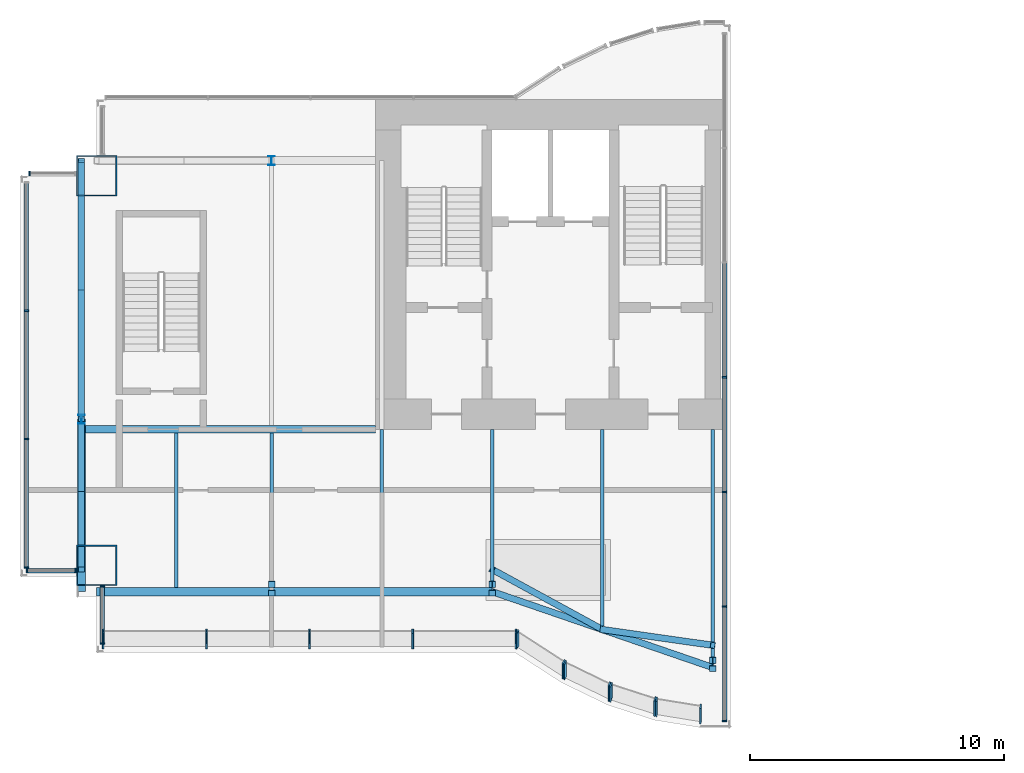
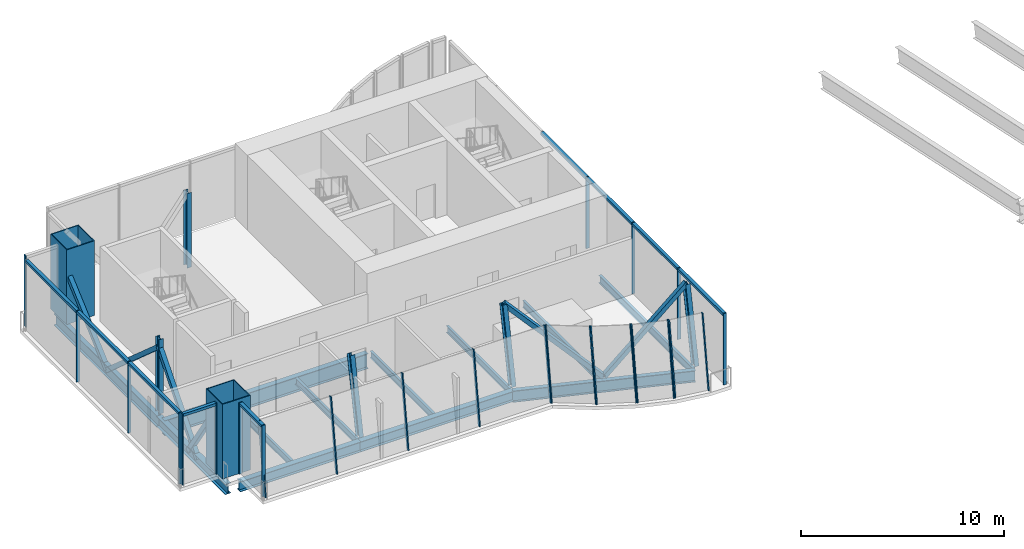
# One storey, part 1 of 7: 40 members, 12 beams, 7 columns, 10 elements without a shape of their own.
"""IFC4 building model written with IfcOpenShell, lengths in metres."""

from ifc_helpers import new_model, si_unit, direction, frame, origin, origin_2d, place, context, subcontext, project, spatial, rectangle, hollow_rectangle, i_section, extrude, material, material_profile, profile_set, type_object, element, aggregate, save


model = new_model("IFC4")

# Units and contexts
model_context = context("Model", 3, precision=1e-05, world=origin(), true_north=direction((0.0, 1.0)))
body_context = subcontext(model_context, "Body", "Model", "MODEL_VIEW")
ifc_project = project(units=[si_unit("LENGTHUNIT", "METRE"), si_unit("AREAUNIT", "SQUARE_METRE"), si_unit("VOLUMEUNIT", "CUBIC_METRE"), si_unit("PLANEANGLEUNIT", "RADIAN"), si_unit("MASSUNIT", "GRAM", prefix="KILO")], contexts=[model_context])

# Site, building, storey
site_placement = place(None, origin())
site = spatial("IfcSite", under=ifc_project, at=site_placement, CompositionType="ELEMENT")
building_placement = place(site_placement, origin())
building = spatial("IfcBuilding", under=site, at=building_placement, Name="Bicima Exchange Tower", CompositionType="ELEMENT")
storey_placement = place(building_placement, frame((0.0, 0.0, 361.39990234375)))
storey = spatial("IfcBuildingStorey", under=building, at=storey_placement, Name="L81", CompositionType="ELEMENT", Elevation=361.39990234375)

# Columns
ifc_material_1 = material(Name="Steel ASTM A572 Gr 50", Category="steel")
ifc_material_profile_1 = material_profile(ifc_material_1, hollow_rectangle(XDim=1.60009765625, YDim=1.60009765625, WallThickness=0.050048828125, at=origin_2d()))
ifc_profile_set_1 = profile_set([ifc_material_profile_1], Name="Steel ASTM A572 Gr 50")
column_type_1 = type_object("IfcColumnType", Name="Mega column BOX 1600x1600x50", PredefinedType="COLUMN", material=ifc_profile_set_1)
for number, where, z_axis, x_axis, name in (
    (1, (-33.0, -18.364501953125, 0.0), (0.0, 0.0, 1.0), (1.0, 0.0, 0.0), "Mega column mega-33.0f"),
    (2, (-33.0, -3.0, 0.0), (0.0, 0.0, 1.0), (1.0, 0.0, 0.0), "Mega column mega-33.0r"),
):
    element("IfcColumn", number, at=place(storey_placement, frame(where, z_axis=z_axis, x_axis=x_axis)), inside=storey, type_object=column_type_1, Name=name, PredefinedType="COLUMN", context=body_context, shape_type="SweptSolid", body=[
        extrude(hollow_rectangle(XDim=1.60009765625, YDim=1.60009765625, WallThickness=0.050048828125, at=origin_2d()), origin(), (0.0, 0.0, 1.0), 4.5),
    ])
ifc_material_2 = material(Name="Steel ASTM A992 Gr 50", Category="steel")
ifc_material_profile_2 = material_profile(ifc_material_2, i_section(OverallWidth=0.25390625, OverallDepth=0.35302734375, WebThickness=0.009521484375, FlangeThickness=0.016357421875, at=origin_2d()))
ifc_profile_set_2 = profile_set([ifc_material_profile_2], Name="Steel ASTM A992 Gr 50")
column_type_2 = type_object("IfcColumnType", Name="Perimeter column W14x61", PredefinedType="COLUMN", material=ifc_profile_set_2)
column_1_placement = place(storey_placement, frame((-26.10009765625, -19.396240234375, 0.03369140625), z_axis=(0.0, 0.191206783257, 0.981549777666), x_axis=(-1.0, 0.0, 0.0)))
element("IfcColumn", 3, at=column_1_placement, inside=storey, type_object=column_type_2, Name="Perimeter column grav-26.1f", PredefinedType="COLUMN", context=body_context, shape_type="SweptSolid", body=[
    extrude(i_section(OverallWidth=0.25390625, OverallDepth=0.35302734375, WebThickness=0.009521484375, FlangeThickness=0.016357421875, at=origin_2d()), origin(), (0.0, 0.0, 1.0), 4.51611328125),
])
column_2_placement = place(storey_placement, frame((-26.10009765625, -2.39990234375, 0.0), z_axis=(0.0, 0.0, 1.0), x_axis=(1.0, 0.0, 0.0)))
element("IfcColumn", 4, at=column_2_placement, inside=storey, type_object=column_type_2, Name="Perimeter column grav-26.1r", PredefinedType="COLUMN", context=body_context, shape_type="SweptSolid", body=[
    extrude(i_section(OverallWidth=0.25390625, OverallDepth=0.35302734375, WebThickness=0.009521484375, FlangeThickness=0.016357421875, at=origin_2d()), origin(), (0.0, 0.0, 1.0), 4.5),
])
for number, where, z_axis, x_axis, name in (
    (5, (-17.39990234375, -19.396240234375, 0.03369140625), (0.0, 0.191206783257, 0.981549777666), (-1.0, 0.0, 0.0), "Perimeter column grav-17.4f"),
    (6, (-8.699951171875, -22.38720703125, 0.03369140625), (0.0, 0.191154699822, 0.981559922132), (-1.0, 0.0, 0.0), "Perimeter column grav-8.7f"),
):
    element("IfcColumn", number, at=place(storey_placement, frame(where, z_axis=z_axis, x_axis=x_axis)), inside=storey, type_object=column_type_2, Name=name, PredefinedType="COLUMN", context=body_context, shape_type="SweptSolid", body=[
        extrude(i_section(OverallWidth=0.25390625, OverallDepth=0.35302734375, WebThickness=0.009521484375, FlangeThickness=0.016357421875, at=origin_2d()), origin(), (0.0, 0.0, 1.0), 4.51611328125),
    ])
column_3_placement = place(storey_placement, frame((-33.60009765625, -12.60009765625, 0.0), z_axis=(0.0, 0.0, 1.0), x_axis=(1.0, 0.0, 0.0)))
element("IfcColumn", 7, at=column_3_placement, inside=storey, type_object=column_type_2, Name="End column end-33.6e", PredefinedType="COLUMN", context=body_context, shape_type="SweptSolid", body=[
    extrude(i_section(OverallWidth=0.25390625, OverallDepth=0.35302734375, WebThickness=0.009521484375, FlangeThickness=0.016357421875, at=origin_2d()), origin(), (0.0, 0.0, 1.0), 4.5),
])

# Beam
ifc_material_profile_3 = material_profile(ifc_material_2, i_section(OverallWidth=0.3046875, OverallDepth=0.911865234375, WebThickness=0.015869140625, FlangeThickness=0.02392578125, at=origin_2d()))
ifc_profile_set_3 = profile_set([ifc_material_profile_3], Name="Steel ASTM A992 Gr 50")
beam_type_1 = type_object("IfcBeamType", Name="Core-line girder W36x150", PredefinedType="BEAM", material=ifc_profile_set_3)
beam_1_placement = place(storey_placement, frame((-22.0, -13.0, -0.65576171875), z_axis=(-1.0, 0.0, 0.0), x_axis=(0.0, -1.0, 0.0)))
element("IfcBeam", 8, at=beam_1_placement, inside=storey, type_object=beam_type_1, Name="Core-line girder", PredefinedType="BEAM", context=body_context, shape_type="SweptSolid", body=[
    extrude(i_section(OverallWidth=0.3046875, OverallDepth=0.911865234375, WebThickness=0.015869140625, FlangeThickness=0.02392578125, at=origin_2d()), origin(), (0.0, 0.0, 1.0), 11.60009765625),
])

# Curtain wall, members
ifc_material_3 = material(Name="Anodised bronze aluminium", Category="aluminium")
curtain_wall_type = type_object("IfcCurtainWallType", Name="Crown glass wall", PredefinedType="NOTDEFINED", material=ifc_material_3)
curtain_wall_1_placement = place(storey_placement, origin())
curtain_wall_1 = element("IfcCurtainWall", 9, at=curtain_wall_1_placement, inside=storey, type_object=curtain_wall_type, Name="Crown glass wall L81 run 2", PredefinedType="NOTDEFINED")
ifc_material_profile_4 = material_profile(ifc_material_3, rectangle(XDim=0.179931640625, YDim=0.06005859375, at=origin_2d()))
ifc_profile_set_4 = profile_set([ifc_material_profile_4], Name="Anodised bronze aluminium")
member_type_1 = type_object("IfcMemberType", Name="Crown glass wall mullion 60 x 180", PredefinedType="MULLION", material=ifc_profile_set_4)
member_1_placement = place(storey_placement, frame((-8.22998046875, -24.505615234375, 0.0), z_axis=(0.0, 0.0, 1.0), x_axis=(-1.0, 0.0, 0.0)))
member_1 = element("IfcMember", 10, at=member_1_placement, type_object=member_type_1, Name="Crown glass wall mullion 1", PredefinedType="MULLION", context=body_context, shape_type="SweptSolid", body=[
    extrude(rectangle(XDim=0.179931640625, YDim=0.06005859375, at=origin_2d()), origin(), (0.0, 0.0, 1.0), 4.300048828125),
])
member_2_placement = place(storey_placement, frame((-8.22998046875, -19.98583984375, 0.0), z_axis=(0.0, 0.0, 1.0), x_axis=(-1.0, 0.0, 0.0)))
member_2 = element("IfcMember", 11, at=member_2_placement, type_object=member_type_1, Name="Crown glass wall mullion 2", PredefinedType="MULLION", context=body_context, shape_type="SweptSolid", body=[
    extrude(rectangle(XDim=0.179931640625, YDim=0.06005859375, at=origin_2d()), origin(), (0.0, 0.0, 1.0), 4.300048828125),
])
member_3_placement = place(storey_placement, frame((-8.22998046875, -15.466064453125, 0.0), z_axis=(0.0, 0.0, 1.0), x_axis=(-1.0, 0.0, 0.0)))
member_3 = element("IfcMember", 12, at=member_3_placement, type_object=member_type_1, Name="Crown glass wall mullion 3", PredefinedType="MULLION", context=body_context, shape_type="SweptSolid", body=[
    extrude(rectangle(XDim=0.179931640625, YDim=0.06005859375, at=origin_2d()), origin(), (0.0, 0.0, 1.0), 4.300048828125),
])
member_4_placement = place(storey_placement, frame((-8.22998046875, -10.9462890625, 0.0), z_axis=(0.0, 0.0, 1.0), x_axis=(-1.0, 0.0, 0.0)))
member_4 = element("IfcMember", 13, at=member_4_placement, type_object=member_type_1, Name="Crown glass wall mullion 4", PredefinedType="MULLION", context=body_context, shape_type="SweptSolid", body=[
    extrude(rectangle(XDim=0.179931640625, YDim=0.06005859375, at=origin_2d()), origin(), (0.0, 0.0, 1.0), 4.300048828125),
])

# Curtain wall, member
curtain_wall_2_placement = place(storey_placement, origin())
curtain_wall_2 = element("IfcCurtainWall", 14, at=curtain_wall_2_placement, inside=storey, type_object=curtain_wall_type, Name="Crown glass wall L81 run 10", PredefinedType="NOTDEFINED")
member_5_placement = place(storey_placement, frame((-35.64990234375, -2.909912109375, 0.0), z_axis=(0.0, 0.0, 1.0), x_axis=(0.0, -1.0, 0.0)))
member_5 = element("IfcMember", 15, at=member_5_placement, type_object=member_type_1, Name="Crown glass wall mullion 2", PredefinedType="MULLION", context=body_context, shape_type="SweptSolid", body=[
    extrude(rectangle(XDim=0.179931640625, YDim=0.06005859375, at=origin_2d()), origin(), (0.0, 0.0, 1.0), 4.300048828125),
])
aggregate(curtain_wall_2, [member_5])

# Curtain wall, members
curtain_wall_3_placement = place(storey_placement, origin())
curtain_wall_3 = element("IfcCurtainWall", 16, at=curtain_wall_3_placement, inside=storey, type_object=curtain_wall_type, Name="Crown glass wall L81 run 11", PredefinedType="NOTDEFINED")
member_6_placement = place(storey_placement, frame((-35.77001953125, -8.32421875, 0.0), z_axis=(0.0, 0.0, 1.0), x_axis=(1.0, 0.0, 0.0)))
member_6 = element("IfcMember", 17, at=member_6_placement, type_object=member_type_1, Name="Crown glass wall mullion 2", PredefinedType="MULLION", context=body_context, shape_type="SweptSolid", body=[
    extrude(rectangle(XDim=0.179931640625, YDim=0.06005859375, at=origin_2d()), origin(), (0.0, 0.0, 1.0), 4.300048828125),
])
member_7_placement = place(storey_placement, frame((-35.77001953125, -13.388427734375, 0.0), z_axis=(0.0, 0.0, 1.0), x_axis=(1.0, 0.0, 0.0)))
member_7 = element("IfcMember", 18, at=member_7_placement, type_object=member_type_1, Name="Crown glass wall mullion 3", PredefinedType="MULLION", context=body_context, shape_type="SweptSolid", body=[
    extrude(rectangle(XDim=0.179931640625, YDim=0.06005859375, at=origin_2d()), origin(), (0.0, 0.0, 1.0), 4.300048828125),
])
member_8_placement = place(storey_placement, frame((-35.77001953125, -18.45263671875, 0.0), z_axis=(0.0, 0.0, 1.0), x_axis=(1.0, 0.0, 0.0)))
member_8 = element("IfcMember", 19, at=member_8_placement, type_object=member_type_1, Name="Crown glass wall mullion 4", PredefinedType="MULLION", context=body_context, shape_type="SweptSolid", body=[
    extrude(rectangle(XDim=0.179931640625, YDim=0.06005859375, at=origin_2d()), origin(), (0.0, 0.0, 1.0), 4.300048828125),
])

curtain_wall_4_placement = place(storey_placement, origin())
curtain_wall_4 = element("IfcCurtainWall", 20, at=curtain_wall_4_placement, inside=storey, type_object=curtain_wall_type, Name="Crown glass wall L81 run 12", PredefinedType="NOTDEFINED")
member_9_placement = place(storey_placement, frame((-35.739990234375, -18.57275390625, 0.0), z_axis=(0.0, 0.0, 1.0), x_axis=(0.0, 1.0, 0.0)))
member_9 = element("IfcMember", 21, at=member_9_placement, type_object=member_type_1, Name="Crown glass wall mullion 1", PredefinedType="MULLION", context=body_context, shape_type="SweptSolid", body=[
    extrude(rectangle(XDim=0.179931640625, YDim=0.06005859375, at=origin_2d()), origin(), (0.0, 0.0, 1.0), 4.300048828125),
])
member_10_placement = place(storey_placement, frame((-33.830078125, -18.57275390625, 0.0), z_axis=(0.0, 0.0, 1.0), x_axis=(0.0, 1.0, 0.0)))
member_10 = element("IfcMember", 22, at=member_10_placement, type_object=member_type_1, Name="Crown glass wall mullion 2", PredefinedType="MULLION", context=body_context, shape_type="SweptSolid", body=[
    extrude(rectangle(XDim=0.179931640625, YDim=0.06005859375, at=origin_2d()), origin(), (0.0, 0.0, 1.0), 4.300048828125),
])

curtain_wall_5_placement = place(storey_placement, origin())
curtain_wall_5 = element("IfcCurtainWall", 23, at=curtain_wall_5_placement, inside=storey, type_object=curtain_wall_type, Name="Crown glass wall L81 run 13", PredefinedType="NOTDEFINED")
member_11_placement = place(storey_placement, frame((-32.77001953125, -19.194580078125, 0.0), z_axis=(0.0, 0.0, 1.0), x_axis=(1.0, 0.0, 0.0)))
member_11 = element("IfcMember", 24, at=member_11_placement, type_object=member_type_1, Name="Crown glass wall mullion 1", PredefinedType="MULLION", context=body_context, shape_type="SweptSolid", body=[
    extrude(rectangle(XDim=0.179931640625, YDim=0.06005859375, at=origin_2d()), origin(), (0.0, 0.0, 1.0), 4.300048828125),
])
member_12_placement = place(storey_placement, frame((-32.77001953125, -21.45263671875, 0.0), z_axis=(0.0, 0.0, 1.0), x_axis=(1.0, 0.0, 0.0)))
member_12 = element("IfcMember", 25, at=member_12_placement, type_object=member_type_1, Name="Crown glass wall mullion 2", PredefinedType="MULLION", context=body_context, shape_type="SweptSolid", body=[
    extrude(rectangle(XDim=0.179931640625, YDim=0.06005859375, at=origin_2d()), origin(), (0.0, 0.0, 1.0), 4.300048828125),
])

curtain_wall_6_placement = place(storey_placement, origin())
curtain_wall_6 = element("IfcCurtainWall", 26, at=curtain_wall_6_placement, inside=storey, type_object=curtain_wall_type, Name="Crown tilted glass L81 14.1", PredefinedType="NOTDEFINED")
member_13_placement = place(storey_placement, frame((-32.739990234375, -21.57275390625, 0.0), z_axis=(0.0, 0.139154039626, 0.99027074745), x_axis=(0.0, -0.99027074745, 0.139154039626)))
member_13 = element("IfcMember", 27, at=member_13_placement, type_object=member_type_1, Name="Crown tilted mullion 1", PredefinedType="MULLION", context=body_context, shape_type="SweptSolid", body=[
    extrude(rectangle(XDim=0.179931640625, YDim=0.06005859375, at=origin_2d()), origin(), (0.0, 0.0, 1.0), 4.34228515625),
])
member_14_placement = place(storey_placement, frame((-28.67041015625, -21.57275390625, 0.0), z_axis=(0.0, 0.139154039626, 0.99027074745), x_axis=(0.0, -0.99027074745, 0.139154039626)))
member_14 = element("IfcMember", 28, at=member_14_placement, type_object=member_type_1, Name="Crown tilted mullion 2", PredefinedType="MULLION", context=body_context, shape_type="SweptSolid", body=[
    extrude(rectangle(XDim=0.179931640625, YDim=0.06005859375, at=origin_2d()), origin(), (0.0, 0.0, 1.0), 4.34228515625),
])
member_15_placement = place(storey_placement, frame((-24.60107421875, -21.57275390625, 0.0), z_axis=(0.0, 0.139154039626, 0.99027074745), x_axis=(0.0, -0.99027074745, 0.139154039626)))
member_15 = element("IfcMember", 29, at=member_15_placement, type_object=member_type_1, Name="Crown tilted mullion 3", PredefinedType="MULLION", context=body_context, shape_type="SweptSolid", body=[
    extrude(rectangle(XDim=0.179931640625, YDim=0.06005859375, at=origin_2d()), origin(), (0.0, 0.0, 1.0), 4.34228515625),
])
member_16_placement = place(storey_placement, frame((-20.531494140625, -21.57275390625, 0.0), z_axis=(0.0, 0.139154039626, 0.99027074745), x_axis=(0.0, -0.99027074745, 0.139154039626)))
member_16 = element("IfcMember", 30, at=member_16_placement, type_object=member_type_1, Name="Crown tilted mullion 4", PredefinedType="MULLION", context=body_context, shape_type="SweptSolid", body=[
    extrude(rectangle(XDim=0.179931640625, YDim=0.06005859375, at=origin_2d()), origin(), (0.0, 0.0, 1.0), 4.34228515625),
])
member_17_placement = place(storey_placement, frame((-16.462158203125, -21.57275390625, 0.0), z_axis=(0.0, 0.139154039626, 0.99027074745), x_axis=(0.0, -0.99027074745, 0.139154039626)))
member_17 = element("IfcMember", 31, at=member_17_placement, type_object=member_type_1, Name="Crown tilted mullion 5", PredefinedType="MULLION", context=body_context, shape_type="SweptSolid", body=[
    extrude(rectangle(XDim=0.179931640625, YDim=0.06005859375, at=origin_2d()), origin(), (0.0, 0.0, 1.0), 4.34228515625),
])
aggregate(curtain_wall_6, [member_13, member_14, member_15, member_16, member_17])

curtain_wall_7_placement = place(storey_placement, origin())
curtain_wall_7 = element("IfcCurtainWall", 32, at=curtain_wall_7_placement, inside=storey, type_object=curtain_wall_type, Name="Crown tilted glass L81 15.1", PredefinedType="NOTDEFINED")
member_18_placement = place(storey_placement, frame((-16.406982421875, -21.589111328125, 0.0), z_axis=(0.0, 0.139209174124, 0.990262998319), x_axis=(-0.542910648791, -0.831613425201, 0.116906537262)))
member_18 = element("IfcMember", 33, at=member_18_placement, type_object=member_type_1, Name="Crown tilted mullion 1", PredefinedType="MULLION", context=body_context, shape_type="SweptSolid", body=[
    extrude(rectangle(XDim=0.179931640625, YDim=0.06005859375, at=origin_2d()), origin(), (0.0, 0.0, 1.0), 4.34228515625),
])
member_19_placement = place(storey_placement, frame((-14.578857421875, -22.770751953125, 0.0), z_axis=(0.0, 0.139154039626, 0.99027074745), x_axis=(-0.542910648791, -0.831619932848, 0.116860235837)))
member_19 = element("IfcMember", 34, at=member_19_placement, type_object=member_type_1, Name="Crown tilted mullion 2", PredefinedType="MULLION", context=body_context, shape_type="SweptSolid", body=[
    extrude(rectangle(XDim=0.179931640625, YDim=0.06005859375, at=origin_2d()), origin(), (0.0, 0.0, 1.0), 4.34228515625),
])
aggregate(curtain_wall_7, [member_18, member_19])

curtain_wall_8_placement = place(storey_placement, origin())
curtain_wall_8 = element("IfcCurtainWall", 35, at=curtain_wall_8_placement, inside=storey, type_object=curtain_wall_type, Name="Crown tilted glass L81 16.1", PredefinedType="NOTDEFINED")
member_20_placement = place(storey_placement, frame((-14.526611328125, -22.80029296875, 0.0), z_axis=(0.0, 0.139209174124, 0.990262998319), x_axis=(-0.436264762204, -0.891056814056, 0.125262968921)))
member_20 = element("IfcMember", 36, at=member_20_placement, type_object=member_type_1, Name="Crown tilted mullion 1", PredefinedType="MULLION", context=body_context, shape_type="SweptSolid", body=[
    extrude(rectangle(XDim=0.179931640625, YDim=0.06005859375, at=origin_2d()), origin(), (0.0, 0.0, 1.0), 4.34228515625),
])
member_21_placement = place(storey_placement, frame((-12.7744140625, -23.64990234375, 0.0), z_axis=(0.0, 0.139209174124, 0.990262998319), x_axis=(-0.436264762204, -0.891056814056, 0.125262968921)))
member_21 = element("IfcMember", 37, at=member_21_placement, type_object=member_type_1, Name="Crown tilted mullion 2", PredefinedType="MULLION", context=body_context, shape_type="SweptSolid", body=[
    extrude(rectangle(XDim=0.179931640625, YDim=0.06005859375, at=origin_2d()), origin(), (0.0, 0.0, 1.0), 4.34228515625),
])
aggregate(curtain_wall_8, [member_20, member_21])

curtain_wall_9_placement = place(storey_placement, origin())
curtain_wall_9 = element("IfcCurtainWall", 38, at=curtain_wall_9_placement, inside=storey, type_object=curtain_wall_type, Name="Crown tilted glass L81 17.1", PredefinedType="NOTDEFINED")
member_22_placement = place(storey_placement, frame((-12.71875, -23.672119140625, 0.0), z_axis=(0.0, 0.139154039626, 0.99027074745), x_axis=(-0.307572519808, -0.942267018828, 0.132408497791)))
member_22 = element("IfcMember", 39, at=member_22_placement, type_object=member_type_1, Name="Crown tilted mullion 1", PredefinedType="MULLION", context=body_context, shape_type="SweptSolid", body=[
    extrude(rectangle(XDim=0.179931640625, YDim=0.06005859375, at=origin_2d()), origin(), (0.0, 0.0, 1.0), 4.34228515625),
])
member_23_placement = place(storey_placement, frame((-10.974609375, -24.23583984375, 0.0), z_axis=(0.0, 0.139154039626, 0.99027074745), x_axis=(-0.307572519808, -0.942267018828, 0.132408497791)))
member_23 = element("IfcMember", 40, at=member_23_placement, type_object=member_type_1, Name="Crown tilted mullion 2", PredefinedType="MULLION", context=body_context, shape_type="SweptSolid", body=[
    extrude(rectangle(XDim=0.179931640625, YDim=0.06005859375, at=origin_2d()), origin(), (0.0, 0.0, 1.0), 4.34228515625),
])
aggregate(curtain_wall_9, [member_22, member_23])

curtain_wall_10_placement = place(storey_placement, origin())
curtain_wall_10 = element("IfcCurtainWall", 41, at=curtain_wall_10_placement, inside=storey, type_object=curtain_wall_type, Name="Crown tilted glass L81 18.1", PredefinedType="NOTDEFINED")
member_24_placement = place(storey_placement, frame((-10.91650390625, -24.25, 0.0), z_axis=(0.0, 0.139209174124, 0.990262998319), x_axis=(-0.159550386184, -0.977577517738, 0.137425874861)))
member_24 = element("IfcMember", 42, at=member_24_placement, type_object=member_type_1, Name="Crown tilted mullion 1", PredefinedType="MULLION", context=body_context, shape_type="SweptSolid", body=[
    extrude(rectangle(XDim=0.179931640625, YDim=0.06005859375, at=origin_2d()), origin(), (0.0, 0.0, 1.0), 4.34228515625),
])
member_25_placement = place(storey_placement, frame((-9.177734375, -24.531005859375, 0.0), z_axis=(0.0, 0.139209174124, 0.990262998319), x_axis=(-0.159550386184, -0.977577517738, 0.137425874861)))
member_25 = element("IfcMember", 43, at=member_25_placement, type_object=member_type_1, Name="Crown tilted mullion 2", PredefinedType="MULLION", context=body_context, shape_type="SweptSolid", body=[
    extrude(rectangle(XDim=0.179931640625, YDim=0.06005859375, at=origin_2d()), origin(), (0.0, 0.0, 1.0), 4.34228515625),
])
aggregate(curtain_wall_10, [member_24, member_25])

# Member
ifc_material_profile_5 = material_profile(ifc_material_3, rectangle(XDim=0.179931640625, YDim=0.159912109375, at=origin_2d()))
ifc_profile_set_5 = profile_set([ifc_material_profile_5], Name="Anodised bronze aluminium")
member_type_2 = type_object("IfcMemberType", Name="Crown glass wall transom 160 x 180", PredefinedType="USERDEFINED", material=ifc_profile_set_5)
member_26_placement = place(storey_placement, frame((-8.22998046875, -24.4755859375, 4.22021484375), z_axis=(0.0, 1.0, 0.0), x_axis=(-1.0, 0.0, 0.0)))
member_26 = element("IfcMember", 44, at=member_26_placement, type_object=member_type_2, Name="Crown glass wall transom 1.1", ObjectType="TRANSOM", PredefinedType="USERDEFINED", context=body_context, shape_type="SweptSolid", body=[
    extrude(rectangle(XDim=0.179931640625, YDim=0.159912109375, at=origin_2d()), origin(), (0.0, 0.0, 1.0), 4.459716796875),
])

member_27_placement = place(storey_placement, frame((-8.22998046875, -19.955810546875, 4.22021484375), z_axis=(0.0, 1.0, 0.0), x_axis=(-1.0, 0.0, 0.0)))
member_27 = element("IfcMember", 45, at=member_27_placement, type_object=member_type_2, Name="Crown glass wall transom 2.1", ObjectType="TRANSOM", PredefinedType="USERDEFINED", context=body_context, shape_type="SweptSolid", body=[
    extrude(rectangle(XDim=0.179931640625, YDim=0.159912109375, at=origin_2d()), origin(), (0.0, 0.0, 1.0), 4.459716796875),
])

member_28_placement = place(storey_placement, frame((-8.22998046875, -15.43603515625, 4.22021484375), z_axis=(0.0, 1.0, 0.0), x_axis=(-1.0, 0.0, 0.0)))
member_28 = element("IfcMember", 46, at=member_28_placement, type_object=member_type_2, Name="Crown glass wall transom 3.1", ObjectType="TRANSOM", PredefinedType="USERDEFINED", context=body_context, shape_type="SweptSolid", body=[
    extrude(rectangle(XDim=0.179931640625, YDim=0.159912109375, at=origin_2d()), origin(), (0.0, 0.0, 1.0), 4.459716796875),
])

member_29_placement = place(storey_placement, frame((-8.22998046875, -10.91650390625, 4.22021484375), z_axis=(0.0, 1.0, 0.0), x_axis=(-1.0, 0.0, 0.0)))
member_29 = element("IfcMember", 47, at=member_29_placement, type_object=member_type_2, Name="Crown glass wall transom 4.1", ObjectType="TRANSOM", PredefinedType="USERDEFINED", context=body_context, shape_type="SweptSolid", body=[
    extrude(rectangle(XDim=0.179931640625, YDim=0.159912109375, at=origin_2d()), origin(), (0.0, 0.0, 1.0), 4.4599609375),
])

aggregate(curtain_wall_1, [member_1, member_2, member_3, member_4, member_26, member_27, member_28, member_29])

member_30_placement = place(storey_placement, frame((-35.77001953125, -3.2900390625, 4.22021484375), z_axis=(0.0, -1.0, 0.0), x_axis=(1.0, 0.0, 0.0)))
member_30 = element("IfcMember", 48, at=member_30_placement, type_object=member_type_2, Name="Crown glass wall transom 1.1", ObjectType="TRANSOM", PredefinedType="USERDEFINED", context=body_context, shape_type="SweptSolid", body=[
    extrude(rectangle(XDim=0.179931640625, YDim=0.159912109375, at=origin_2d()), origin(), (0.0, 0.0, 1.0), 5.004150390625),
])

member_31_placement = place(storey_placement, frame((-35.77001953125, -8.354248046875, 4.22021484375), z_axis=(0.0, -1.0, 0.0), x_axis=(1.0, 0.0, 0.0)))
member_31 = element("IfcMember", 49, at=member_31_placement, type_object=member_type_2, Name="Crown glass wall transom 2.1", ObjectType="TRANSOM", PredefinedType="USERDEFINED", context=body_context, shape_type="SweptSolid", body=[
    extrude(rectangle(XDim=0.179931640625, YDim=0.159912109375, at=origin_2d()), origin(), (0.0, 0.0, 1.0), 5.004150390625),
])

member_32_placement = place(storey_placement, frame((-35.77001953125, -13.41845703125, 4.22021484375), z_axis=(0.0, -1.0, 0.0), x_axis=(1.0, 0.0, 0.0)))
member_32 = element("IfcMember", 50, at=member_32_placement, type_object=member_type_2, Name="Crown glass wall transom 3.1", ObjectType="TRANSOM", PredefinedType="USERDEFINED", context=body_context, shape_type="SweptSolid", body=[
    extrude(rectangle(XDim=0.179931640625, YDim=0.159912109375, at=origin_2d()), origin(), (0.0, 0.0, 1.0), 5.004150390625),
])

aggregate(curtain_wall_3, [member_6, member_7, member_8, member_30, member_31, member_32])

member_33_placement = place(storey_placement, frame((-35.7099609375, -18.57275390625, 4.22021484375), z_axis=(1.0, 0.0, 0.0), x_axis=(0.0, 1.0, 0.0)))
member_33 = element("IfcMember", 51, at=member_33_placement, type_object=member_type_2, Name="Crown glass wall transom 1.1", ObjectType="TRANSOM", PredefinedType="USERDEFINED", context=body_context, shape_type="SweptSolid", body=[
    extrude(rectangle(XDim=0.179931640625, YDim=0.159912109375, at=origin_2d()), origin(), (0.0, 0.0, 1.0), 1.849853515625),
])

aggregate(curtain_wall_4, [member_9, member_10, member_33])

member_34_placement = place(storey_placement, frame((-32.77001953125, -19.224609375, 4.22021484375), z_axis=(0.0, -1.0, 0.0), x_axis=(1.0, 0.0, 0.0)))
member_34 = element("IfcMember", 52, at=member_34_placement, type_object=member_type_2, Name="Crown glass wall transom 1.1", ObjectType="TRANSOM", PredefinedType="USERDEFINED", context=body_context, shape_type="SweptSolid", body=[
    extrude(rectangle(XDim=0.179931640625, YDim=0.159912109375, at=origin_2d()), origin(), (0.0, 0.0, 1.0), 2.197998046875),
])

aggregate(curtain_wall_5, [member_11, member_12, member_34])

# Beams
ifc_material_profile_6 = material_profile(ifc_material_2, i_section(OverallWidth=0.3251953125, OverallDepth=0.612060546875, WebThickness=0.0126953125, FlangeThickness=0.01904296875, at=origin_2d()))
ifc_profile_set_6 = profile_set([ifc_material_profile_6], Name="Steel ASTM A992 Gr 50")
beam_type_2 = type_object("IfcBeamType", Name="End girder W24x104", PredefinedType="BEAM", material=ifc_profile_set_6)
beam_2_placement = place(storey_placement, frame((-33.60009765625, -12.60009765625, -0.506103515625), z_axis=(0.0, -1.0, 0.0), x_axis=(1.0, 0.0, 0.0)))
element("IfcBeam", 53, at=beam_2_placement, inside=storey, type_object=beam_type_2, Name="End girder", PredefinedType="BEAM", context=body_context, shape_type="SweptSolid", body=[
    extrude(i_section(OverallWidth=0.3251953125, OverallDepth=0.612060546875, WebThickness=0.0126953125, FlangeThickness=0.01904296875, at=origin_2d()), origin(), (0.0, 0.0, 1.0), 6.802490234375),
])
ifc_material_profile_7 = material_profile(ifc_material_2, i_section(OverallWidth=0.256591796875, OverallDepth=0.693359375, WebThickness=0.014404296875, FlangeThickness=0.023681640625, at=origin_2d()))
ifc_profile_set_7 = profile_set([ifc_material_profile_7], Name="Steel ASTM A992 Gr 50")
beam_type_3 = type_object("IfcBeamType", Name="End girder W27x114", PredefinedType="BEAM", material=ifc_profile_set_7)
beam_3_placement = place(storey_placement, frame((-33.60009765625, -2.39990234375, -0.546630859375), z_axis=(0.0, -1.0, 0.0), x_axis=(1.0, 0.0, 0.0)))
element("IfcBeam", 54, at=beam_3_placement, inside=storey, type_object=beam_type_3, Name="End girder", PredefinedType="BEAM", context=body_context, shape_type="SweptSolid", body=[
    extrude(i_section(OverallWidth=0.256591796875, OverallDepth=0.693359375, WebThickness=0.014404296875, FlangeThickness=0.023681640625, at=origin_2d()), origin(), (0.0, 0.0, 1.0), 10.2001953125),
])
ifc_material_profile_8 = material_profile(ifc_material_2, i_section(OverallWidth=0.140380859375, OverallDepth=0.40380859375, WebThickness=0.007080078125, FlangeThickness=0.01123046875, at=origin_2d()))
ifc_profile_set_8 = profile_set([ifc_material_profile_8], Name="Steel ASTM A992 Gr 50")
beam_type_4 = type_object("IfcBeamType", Name="Floor beam W16x31", PredefinedType="JOIST", material=ifc_profile_set_8)
for number, where, z_axis, x_axis, name in (
    (55, (-29.85009765625, -13.15234375, -0.40185546875), (0.0, -1.0, 0.0), (1.0, 0.0, 0.0), "Floor beam"),
    (56, (-26.10009765625, -13.15234375, -0.40185546875), (0.0, -1.0, 0.0), (1.0, 0.0, 0.0), "Floor beam"),
):
    element("IfcBeam", number, at=place(storey_placement, frame(where, z_axis=z_axis, x_axis=x_axis)), inside=storey, type_object=beam_type_4, Name=name, PredefinedType="JOIST", context=body_context, shape_type="SweptSolid", body=[
        extrude(i_section(OverallWidth=0.140380859375, OverallDepth=0.40380859375, WebThickness=0.007080078125, FlangeThickness=0.01123046875, at=origin_2d()), origin(), (0.0, 0.0, 1.0), 6.087646484375),
    ])
for number, where, z_axis, x_axis, name in (
    (57, (-21.75, -13.0, -0.40185546875), (0.0, -1.0, 0.0), (1.0, 0.0, 0.0), "Floor beam"),
    (58, (-17.39990234375, -13.0, -0.40185546875), (0.0, -1.0, 0.0), (1.0, 0.0, 0.0), "Floor beam"),
):
    element("IfcBeam", number, at=place(storey_placement, frame(where, z_axis=z_axis, x_axis=x_axis)), inside=storey, type_object=beam_type_4, Name=name, PredefinedType="JOIST", context=body_context, shape_type="SweptSolid", body=[
        extrude(i_section(OverallWidth=0.140380859375, OverallDepth=0.40380859375, WebThickness=0.007080078125, FlangeThickness=0.01123046875, at=origin_2d()), origin(), (0.0, 0.0, 1.0), 6.239990234375),
    ])
beam_4_placement = place(storey_placement, frame((-13.050048828125, -13.0, -0.40185546875), z_axis=(0.0, -1.0, 0.0), x_axis=(1.0, 0.0, 0.0)))
element("IfcBeam", 59, at=beam_4_placement, inside=storey, type_object=beam_type_4, Name="Floor beam", PredefinedType="JOIST", context=body_context, shape_type="SweptSolid", body=[
    extrude(i_section(OverallWidth=0.140380859375, OverallDepth=0.40380859375, WebThickness=0.007080078125, FlangeThickness=0.01123046875, at=origin_2d()), origin(), (0.0, 0.0, 1.0), 7.7626953125),
])
ifc_material_profile_9 = material_profile(ifc_material_2, i_section(OverallWidth=0.15283203125, OverallDepth=0.45458984375, WebThickness=0.008056640625, FlangeThickness=0.013427734375, at=origin_2d()))
ifc_profile_set_9 = profile_set([ifc_material_profile_9], Name="Steel ASTM A992 Gr 50")
beam_type_5 = type_object("IfcBeamType", Name="Floor beam W18x40", PredefinedType="JOIST", material=ifc_profile_set_9)
beam_5_placement = place(storey_placement, frame((-8.699951171875, -13.0, -0.42724609375), z_axis=(0.0, -1.0, 0.0), x_axis=(1.0, 0.0, 0.0)))
element("IfcBeam", 60, at=beam_5_placement, inside=storey, type_object=beam_type_5, Name="Floor beam", PredefinedType="JOIST", context=body_context, shape_type="SweptSolid", body=[
    extrude(i_section(OverallWidth=0.15283203125, OverallDepth=0.45458984375, WebThickness=0.008056640625, FlangeThickness=0.013427734375, at=origin_2d()), origin(), (0.0, 0.0, 1.0), 9.258056640625),
])
beam_type_6 = type_object("IfcBeamType", Name="Front girder W24x104", PredefinedType="BEAM", material=ifc_profile_set_6)
beam_6_placement = place(storey_placement, frame((-33.0, -19.402587890625, -0.506103515625), z_axis=(1.0, 0.0, 0.0), x_axis=(0.0, 1.0, 0.0)))
element("IfcBeam", 61, at=beam_6_placement, inside=storey, type_object=beam_type_6, Name="Front girder", PredefinedType="BEAM", context=body_context, shape_type="SweptSolid", body=[
    extrude(i_section(OverallWidth=0.3251953125, OverallDepth=0.612060546875, WebThickness=0.0126953125, FlangeThickness=0.01904296875, at=origin_2d()), origin(), (0.0, 0.0, 1.0), 6.89990234375),
])
beam_7_placement = place(storey_placement, frame((-26.10009765625, -19.402587890625, -0.506103515625), z_axis=(1.0, 0.0, 0.0), x_axis=(0.0, 1.0, 0.0)))
element("IfcBeam", 62, at=beam_7_placement, inside=storey, type_object=beam_type_6, Name="Front girder", PredefinedType="BEAM", context=body_context, shape_type="SweptSolid", body=[
    extrude(i_section(OverallWidth=0.3251953125, OverallDepth=0.612060546875, WebThickness=0.0126953125, FlangeThickness=0.01904296875, at=origin_2d()), origin(), (0.0, 0.0, 1.0), 8.7001953125),
])
beam_type_7 = type_object("IfcBeamType", Name="Front girder W27x114", PredefinedType="BEAM", material=ifc_profile_set_7)
beam_8_placement = place(storey_placement, frame((-17.39990234375, -19.402587890625, -0.546630859375), z_axis=(0.945666456746, -0.325138359143, 0.0), x_axis=(0.325138359143, 0.945666456746, 0.0)))
element("IfcBeam", 63, at=beam_8_placement, inside=storey, type_object=beam_type_7, Name="Front girder", PredefinedType="BEAM", context=body_context, shape_type="SweptSolid", body=[
    extrude(i_section(OverallWidth=0.256591796875, OverallDepth=0.693359375, WebThickness=0.014404296875, FlangeThickness=0.023681640625, at=origin_2d()), origin(), (0.0, 0.0, 1.0), 9.19970703125),
])

# Members
ifc_material_profile_10 = material_profile(ifc_material_1, hollow_rectangle(XDim=0.25390625, YDim=0.25390625, WallThickness=0.01171875, at=origin_2d()))
ifc_profile_set_10 = profile_set([ifc_material_profile_10], Name="Steel ASTM A572 Gr 50")
member_type_3 = type_object("IfcMemberType", Name="Mega brace HSS10x10x1/2", PredefinedType="BRACE", material=ifc_profile_set_10)
member_35_placement = place(storey_placement, frame((-13.050048828125, -20.898193359375, 0.0), z_axis=(0.691654271896, -0.09844175741, 0.715488356695), x_axis=(0.140907934492, 0.990022703779, 0.0)))
element("IfcMember", 64, at=member_35_placement, inside=storey, type_object=member_type_3, Name="Mega brace front", PredefinedType="BRACE", context=body_context, shape_type="SweptSolid", body=[
    extrude(hollow_rectangle(XDim=0.25390625, YDim=0.25390625, WallThickness=0.01171875, at=origin_2d()), origin(), (0.0, 0.0, 1.0), 6.289306640625),
])
member_36_placement = place(storey_placement, frame((-13.050048828125, -20.898193359375, 0.0), z_axis=(-0.649906991242, 0.354372027834, 0.672340217914), x_axis=(-0.478724382497, -0.877965241683, 0.0)))
element("IfcMember", 65, at=member_36_placement, inside=storey, type_object=member_type_3, Name="Mega brace front", PredefinedType="BRACE", context=body_context, shape_type="SweptSolid", body=[
    extrude(hollow_rectangle(XDim=0.25390625, YDim=0.25390625, WallThickness=0.01171875, at=origin_2d()), origin(), (0.0, 0.0, 1.0), 6.693115234375),
])
for number, where, z_axis, x_axis, name in (
    (66, (-33.60009765625, -7.5, -0.546630859375), (0.0, -0.749844140428, 0.661614513948), (1.0, 0.0, 0.0), "Mega brace west end"),
    (67, (-33.60009765625, -7.5, -0.546630859375), (0.0, 0.749844140428, 0.661614513948), (-1.0, 0.0, 0.0), "Mega brace west end"),
):
    element("IfcMember", number, at=place(storey_placement, frame(where, z_axis=z_axis, x_axis=x_axis)), inside=storey, type_object=member_type_3, Name=name, PredefinedType="BRACE", context=body_context, shape_type="SweptSolid", body=[
        extrude(hollow_rectangle(XDim=0.25390625, YDim=0.25390625, WallThickness=0.01171875, at=origin_2d()), origin(), (0.0, 0.0, 1.0), 6.801513671875),
    ])
member_37_placement = place(storey_placement, frame((-33.60009765625, -15.56298828125, -0.506103515625), z_axis=(0.0, -0.549985944392, 0.835173910614), x_axis=(1.0, 0.0, 0.0)))
element("IfcMember", 68, at=member_37_placement, inside=storey, type_object=member_type_3, Name="Mega brace west end", PredefinedType="BRACE", context=body_context, shape_type="SweptSolid", body=[
    extrude(hollow_rectangle(XDim=0.25390625, YDim=0.25390625, WallThickness=0.01171875, at=origin_2d()), origin(), (0.0, 0.0, 1.0), 5.38818359375),
])
member_38_placement = place(storey_placement, frame((-33.60009765625, -16.439697265625, -0.506103515625), z_axis=(0.0, 0.64908010396, 0.760720065887), x_axis=(-1.0, 0.0, 0.0)))
element("IfcMember", 69, at=member_38_placement, inside=storey, type_object=member_type_3, Name="Mega brace west end", PredefinedType="BRACE", context=body_context, shape_type="SweptSolid", body=[
    extrude(hollow_rectangle(XDim=0.25390625, YDim=0.25390625, WallThickness=0.01171875, at=origin_2d()), origin(), (0.0, 0.0, 1.0), 5.91552734375),
])

save(model, "model.ifc")
